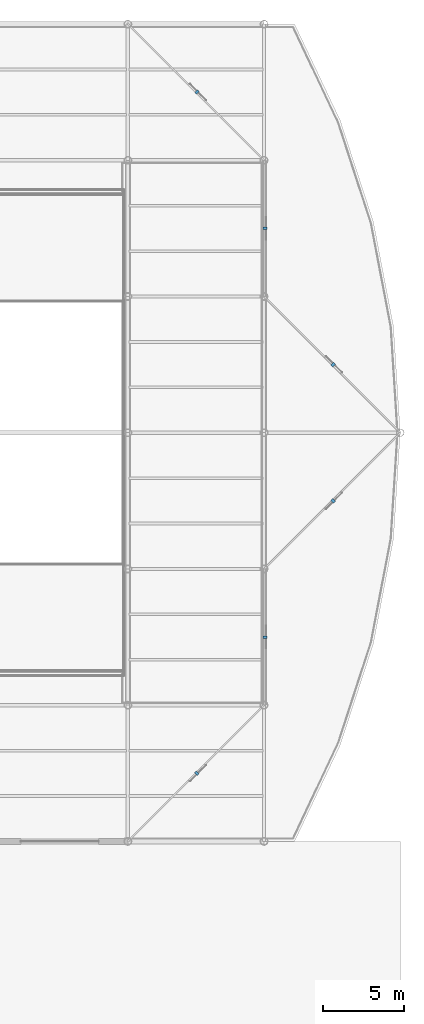
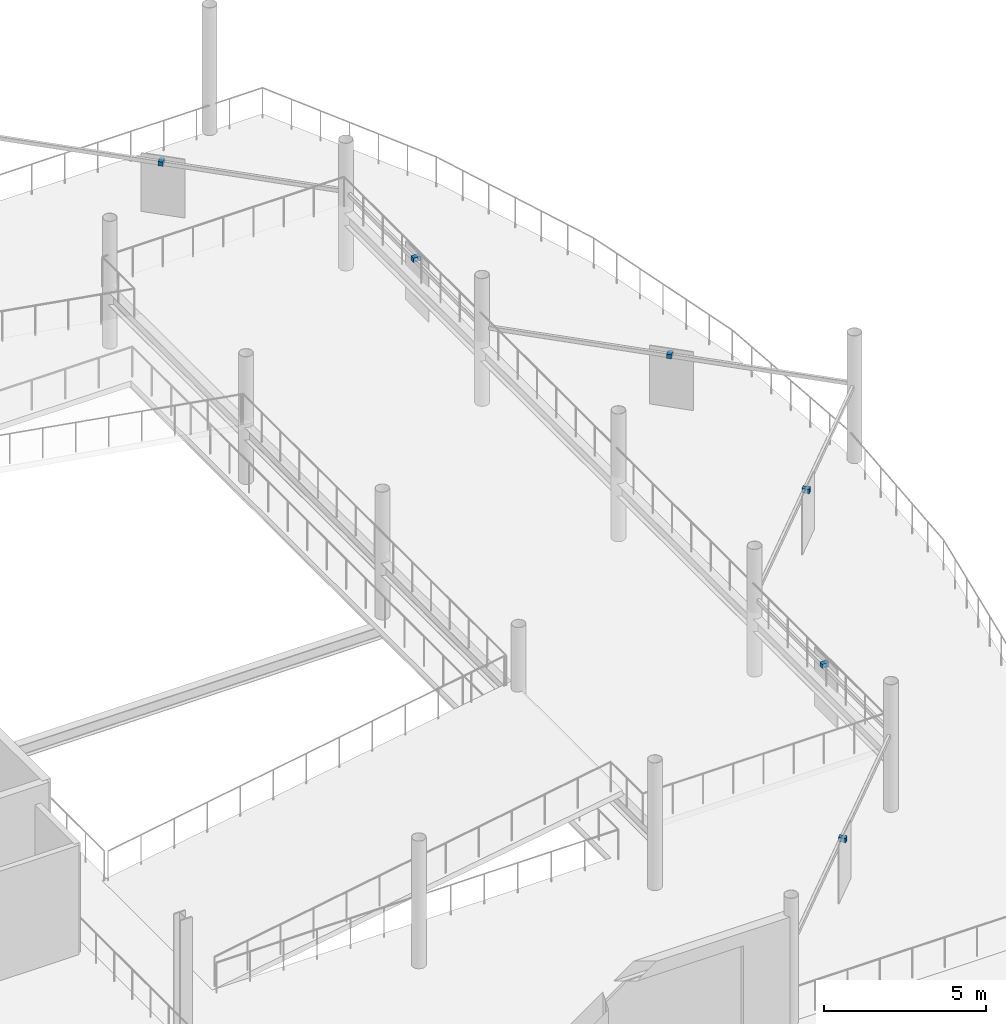
# One storey, part 135 of 145: 6 discrete accessories.
"""IFC4 building model written with IfcOpenShell, lengths in metres."""

from ifc_helpers import new_model, si_unit, direction, frame, origin, origin_2d, place, context, subcontext, project, spatial, rectangle, extrude, material, type_object, element, save


model = new_model("IFC4")

# Units and contexts
model_context = context("Model", 3, precision=1e-05, world=origin(), true_north=direction((0.0, 1.0)))
body_context = subcontext(model_context, "Body", "Model", "MODEL_VIEW")
ifc_project = project(units=[si_unit("LENGTHUNIT", "METRE"), si_unit("AREAUNIT", "SQUARE_METRE"), si_unit("VOLUMEUNIT", "CUBIC_METRE"), si_unit("PLANEANGLEUNIT", "RADIAN"), si_unit("MASSUNIT", "GRAM", prefix="KILO")], contexts=[model_context])

# Site, building, storey
site_placement = place(None, origin())
site = spatial("IfcSite", under=ifc_project, at=site_placement, CompositionType="ELEMENT")
building_placement = place(site_placement, origin())
building = spatial("IfcBuilding", under=site, at=building_placement, Name="Qalvenar Corner Mobility Hub", CompositionType="ELEMENT")
storey_placement = place(building_placement, origin())
storey = spatial("IfcBuildingStorey", under=building, at=storey_placement, Name="L00", CompositionType="ELEMENT", Elevation=0.0)

# Discrete accessories
ifc_material = material(Name="Steel S355", Category="steel")
discrete_accessory_type = type_object("IfcDiscreteAccessoryType", Name="ACC-HINGE-BRK", PredefinedType="BRACKET", material=ifc_material)
for number, where, z_axis, x_axis, name in (
    (1, (163.860107421875, 71.39990234375, 2.77001953125), (0.0, 0.0, 1.0), (0.707106781187, 0.707106781187, 0.0), "Rotunda Screen Bracket BKV2-L00-1"),
    (2, (168.06005859375, 79.800048828125, 2.77001953125), (0.0, 0.0, 1.0), (0.0, 1.0, 0.0), "Rotunda Screen Bracket BKV2-L00-2"),
    (3, (172.260009765625, 88.199951171875, 2.77001953125), (0.0, 0.0, 1.0), (0.707106781187, 0.707106781187, 0.0), "Rotunda Screen Bracket BKV2-L00-3"),
    (4, (172.260009765625, 96.60009765625, 2.77001953125), (0.0, 0.0, 1.0), (-0.707106781187, 0.707106781187, 0.0), "Rotunda Screen Bracket BKV2-L00-4"),
    (5, (168.06005859375, 105.0, 2.77001953125), (0.0, 0.0, 1.0), (0.0, 1.0, 0.0), "Rotunda Screen Bracket BKV2-L00-5"),
    (6, (163.860107421875, 113.39990234375, 2.77001953125), (0.0, 0.0, 1.0), (-0.707106781187, 0.707106781187, 0.0), "Rotunda Screen Bracket BKV2-L00-6"),
):
    element("IfcDiscreteAccessory", number, at=place(storey_placement, frame(where, z_axis=z_axis, x_axis=x_axis)), inside=storey, type_object=discrete_accessory_type, Name=name, PredefinedType="BRACKET", context=body_context, shape_type="SweptSolid", body=[
        extrude(rectangle(XDim=0.159912109375, YDim=0.239990234375, at=origin_2d()), origin(), (0.0, 0.0, 1.0), 0.159912109375),
    ])

save(model, "model.ifc")
